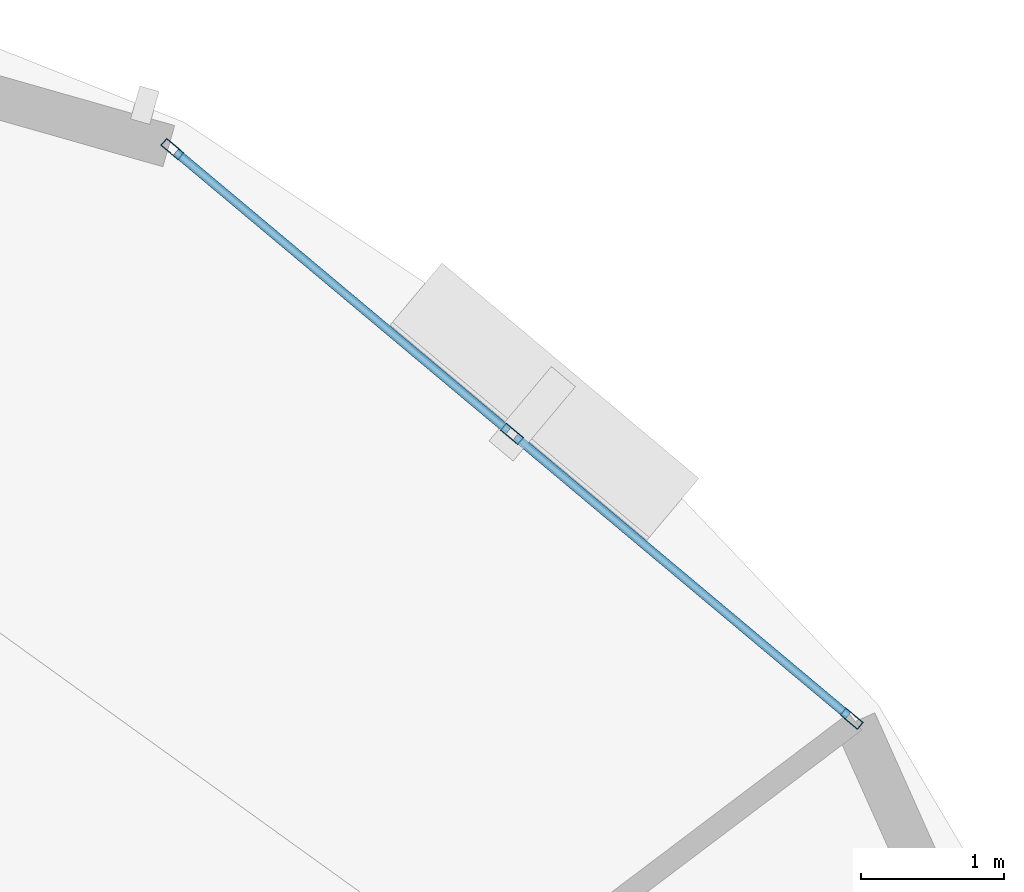
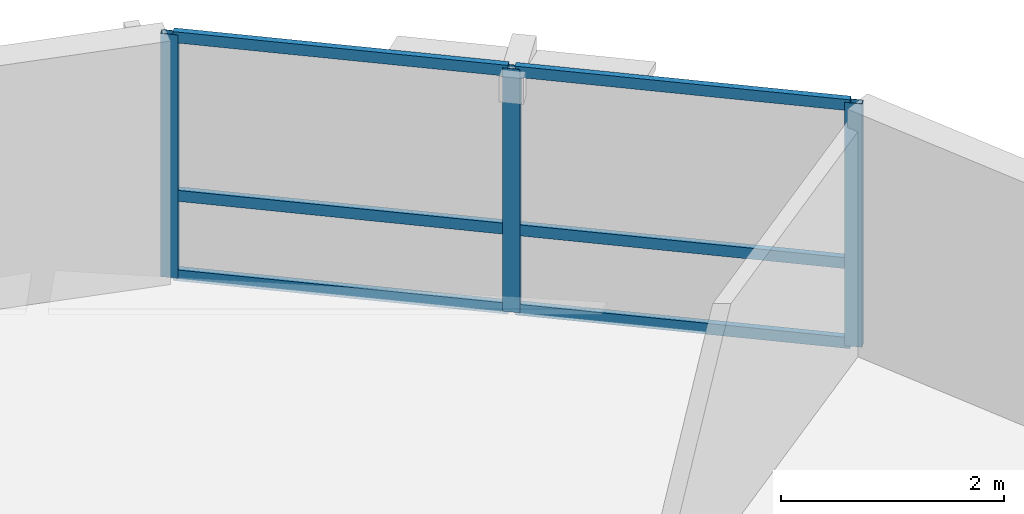
# One storey, part 6 of 12: 9 members, 1 element without a shape of its own.
"""IFC4 building model written with IfcOpenShell, lengths in metres."""

from ifc_helpers import new_model, si_unit, direction, frame, origin, origin_2d, place, context, subcontext, project, spatial, hollow_rectangle, extrude, material, layer, layer_set, material_profile, profile_set, type_object, element, aggregate, save


model = new_model("IFC4")

# Units and contexts
model_context = context("Model", 3, precision=1e-05, world=origin(), true_north=direction((0.0, 1.0)))
body_context = subcontext(model_context, "Body", "Model", "MODEL_VIEW")
ifc_project = project(units=[si_unit("LENGTHUNIT", "METRE"), si_unit("AREAUNIT", "SQUARE_METRE"), si_unit("VOLUMEUNIT", "CUBIC_METRE"), si_unit("PLANEANGLEUNIT", "RADIAN"), si_unit("MASSUNIT", "GRAM", prefix="KILO"), si_unit("THERMODYNAMICTEMPERATUREUNIT", "KELVIN"), si_unit("POWERUNIT", "WATT")], contexts=[model_context])

# Site, building, storey
site_placement = place(None, origin())
site = spatial("IfcSite", under=ifc_project, at=site_placement, CompositionType="ELEMENT")
building_placement = place(site_placement, origin())
building = spatial("IfcBuilding", under=site, at=building_placement, Name="Ocrelia Relay Tower", CompositionType="ELEMENT")
storey_placement = place(building_placement, frame((0.0, 0.0, 188.0)))
storey = spatial("IfcBuildingStorey", under=building, at=storey_placement, Name="L45", CompositionType="ELEMENT", Elevation=188.0)

# Curtain wall, members
ifc_material_1 = material(Name="Aluminium and solar-control low-E glass", Category="aluminium")
ifc_layer = layer(ifc_material_1, 0.179931640625, Name="Aluminium and solar-control low-E glass")
ifc_layer_set = layer_set([ifc_layer], Name="Aluminium and solar-control low-E glass")
curtain_wall_type = type_object("IfcCurtainWallType", Name="CW-SYS-Z3-CLOU", PredefinedType="NOTDEFINED", material=ifc_layer_set)
curtain_wall_placement = place(storey_placement, origin())
curtain_wall = element("IfcCurtainWall", 1, at=curtain_wall_placement, inside=storey, type_object=curtain_wall_type, Name="L45 Elliptical Tower Curtain Wall Bay 01", PredefinedType="NOTDEFINED")
ifc_material_2 = material(Name="Anodised bronze aluminium", Category="aluminium")
ifc_material_profile_1 = material_profile(ifc_material_2, hollow_rectangle(XDim=0.06494140625, YDim=0.159912109375, WallThickness=0.0048828125, at=origin_2d()), Name="CW-MUL-160x65")
ifc_profile_set_1 = profile_set([ifc_material_profile_1], Name="Anodised bronze aluminium")
member_type_1 = type_object("IfcMemberType", Name="CW-SYS-Z3-CLOU-MUL", PredefinedType="MULLION", material=ifc_profile_set_1)
member_1_placement = place(storey_placement, frame((52.65087890625, 40.11962890625, 0.0), z_axis=(0.0, 0.0, 1.0), x_axis=(-0.642379841632, -0.766386416284, 0.0)))
member_1 = element("IfcMember", 2, at=member_1_placement, type_object=member_type_1, Name="CW-Z3 mullion 1", PredefinedType="MULLION", context=body_context, shape_type="SweptSolid", body=[
    extrude(hollow_rectangle(XDim=0.06494140625, YDim=0.159912109375, WallThickness=0.0048828125, at=origin_2d()), origin(), (0.0, 0.0, 1.0), 2.659912109375),
])
member_2_placement = place(storey_placement, frame((50.268310546875, 42.11669921875, 0.0), z_axis=(0.0, 0.0, 1.0), x_axis=(-0.642379841632, -0.766386416284, 0.0)))
member_2 = element("IfcMember", 3, at=member_2_placement, type_object=member_type_1, Name="CW-Z3 mullion 2", PredefinedType="MULLION", context=body_context, shape_type="SweptSolid", body=[
    extrude(hollow_rectangle(XDim=0.06494140625, YDim=0.159912109375, WallThickness=0.0048828125, at=origin_2d()), origin(), (0.0, 0.0, 1.0), 2.659912109375),
])
member_3_placement = place(storey_placement, frame((47.8857421875, 44.11376953125, 0.0), z_axis=(0.0, 0.0, 1.0), x_axis=(-0.642379841632, -0.766386416284, 0.0)))
member_3 = element("IfcMember", 4, at=member_3_placement, type_object=member_type_1, Name="CW-Z3 mullion 3", PredefinedType="MULLION", context=body_context, shape_type="SweptSolid", body=[
    extrude(hollow_rectangle(XDim=0.06494140625, YDim=0.159912109375, WallThickness=0.0048828125, at=origin_2d()), origin(), (0.0, 0.0, 1.0), 2.659912109375),
])
ifc_material_profile_2 = material_profile(ifc_material_2, hollow_rectangle(XDim=0.06005859375, YDim=0.1201171875, WallThickness=0.0048828125, at=origin_2d()), Name="CW-TRN-120x60")
ifc_profile_set_2 = profile_set([ifc_material_profile_2], Name="Anodised bronze aluminium")
member_type_2 = type_object("IfcMemberType", Name="CW-SYS-Z3-CLOU-TRN", PredefinedType="USERDEFINED", material=ifc_profile_set_2)
member_4_placement = place(storey_placement, frame((52.6259765625, 40.140625, 0.030029296875), z_axis=(-0.766383869911, 0.642382879551, 0.0), x_axis=(-0.642382879551, -0.766383869911, 0.0)))
member_4 = element("IfcMember", 5, at=member_4_placement, type_object=member_type_2, Name="CW-Z3 transom 1.1", ObjectType="TRANSOM", PredefinedType="USERDEFINED", context=body_context, shape_type="SweptSolid", body=[
    extrude(hollow_rectangle(XDim=0.06005859375, YDim=0.1201171875, WallThickness=0.0048828125, at=origin_2d()), origin(), (0.0, 0.0, 1.0), 3.0439453125),
])
member_5_placement = place(storey_placement, frame((52.6259765625, 40.140625, 0.89990234375), z_axis=(-0.766383869911, 0.642382879551, 0.0), x_axis=(-0.642382879551, -0.766383869911, 0.0)))
member_5 = element("IfcMember", 6, at=member_5_placement, type_object=member_type_2, Name="CW-Z3 transom 1.2", ObjectType="TRANSOM", PredefinedType="USERDEFINED", context=body_context, shape_type="SweptSolid", body=[
    extrude(hollow_rectangle(XDim=0.06005859375, YDim=0.1201171875, WallThickness=0.0048828125, at=origin_2d()), origin(), (0.0, 0.0, 1.0), 3.0439453125),
])
member_6_placement = place(storey_placement, frame((52.6259765625, 40.140625, 2.6298828125), z_axis=(-0.766383869911, 0.642382879551, 0.0), x_axis=(-0.642382879551, -0.766383869911, 0.0)))
member_6 = element("IfcMember", 7, at=member_6_placement, type_object=member_type_2, Name="CW-Z3 transom 1.3", ObjectType="TRANSOM", PredefinedType="USERDEFINED", context=body_context, shape_type="SweptSolid", body=[
    extrude(hollow_rectangle(XDim=0.06005859375, YDim=0.1201171875, WallThickness=0.0048828125, at=origin_2d()), origin(), (0.0, 0.0, 1.0), 3.0439453125),
])
member_7_placement = place(storey_placement, frame((50.243408203125, 42.1376953125, 0.030029296875), z_axis=(-0.766383869911, 0.642382879551, 0.0), x_axis=(-0.642382879551, -0.766383869911, 0.0)))
member_7 = element("IfcMember", 8, at=member_7_placement, type_object=member_type_2, Name="CW-Z3 transom 2.1", ObjectType="TRANSOM", PredefinedType="USERDEFINED", context=body_context, shape_type="SweptSolid", body=[
    extrude(hollow_rectangle(XDim=0.06005859375, YDim=0.1201171875, WallThickness=0.0048828125, at=origin_2d()), origin(), (0.0, 0.0, 1.0), 3.0439453125),
])
member_8_placement = place(storey_placement, frame((50.243408203125, 42.1376953125, 0.89990234375), z_axis=(-0.766383869911, 0.642382879551, 0.0), x_axis=(-0.642382879551, -0.766383869911, 0.0)))
member_8 = element("IfcMember", 9, at=member_8_placement, type_object=member_type_2, Name="CW-Z3 transom 2.2", ObjectType="TRANSOM", PredefinedType="USERDEFINED", context=body_context, shape_type="SweptSolid", body=[
    extrude(hollow_rectangle(XDim=0.06005859375, YDim=0.1201171875, WallThickness=0.0048828125, at=origin_2d()), origin(), (0.0, 0.0, 1.0), 3.0439453125),
])
member_9_placement = place(storey_placement, frame((50.243408203125, 42.1376953125, 2.6298828125), z_axis=(-0.766383869911, 0.642382879551, 0.0), x_axis=(-0.642382879551, -0.766383869911, 0.0)))
member_9 = element("IfcMember", 10, at=member_9_placement, type_object=member_type_2, Name="CW-Z3 transom 2.3", ObjectType="TRANSOM", PredefinedType="USERDEFINED", context=body_context, shape_type="SweptSolid", body=[
    extrude(hollow_rectangle(XDim=0.06005859375, YDim=0.1201171875, WallThickness=0.0048828125, at=origin_2d()), origin(), (0.0, 0.0, 1.0), 3.0439453125),
])
aggregate(curtain_wall, [member_1, member_2, member_3, member_4, member_5, member_6, member_7, member_8, member_9])

save(model, "model.ifc")
